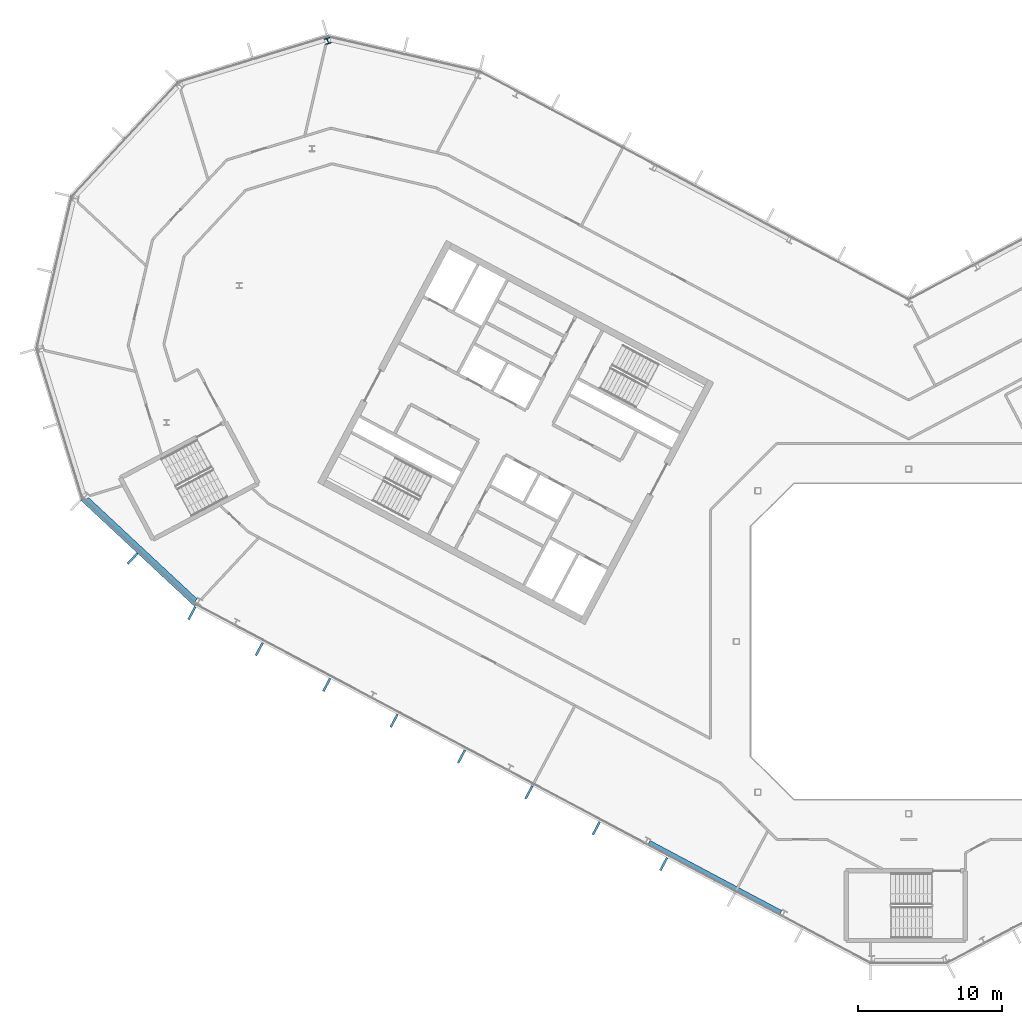
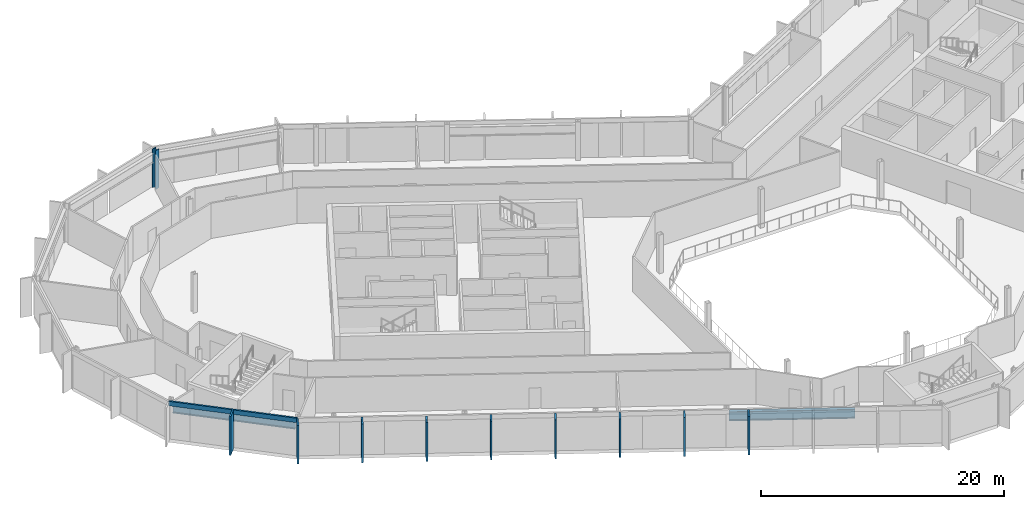
# One storey, part 8 of 26: 10 members, 2 beams, 1 column, 2 elements without a shape of their own.
"""IFC4 building model written with IfcOpenShell, lengths in metres."""

from ifc_helpers import new_model, si_unit, direction, frame, origin, origin_2d, place, context, subcontext, project, spatial, rectangle, i_section, extrude, material, layer, layer_set, material_profile, profile_set, type_object, element, aggregate, save


model = new_model("IFC4")

# Units and contexts
model_context = context("Model", 3, precision=1e-05, world=origin(), true_north=direction((0.0, 1.0)))
body_context = subcontext(model_context, "Body", "Model", "MODEL_VIEW")
ifc_project = project(units=[si_unit("LENGTHUNIT", "METRE"), si_unit("AREAUNIT", "SQUARE_METRE"), si_unit("VOLUMEUNIT", "CUBIC_METRE"), si_unit("PLANEANGLEUNIT", "RADIAN"), si_unit("MASSUNIT", "GRAM", prefix="KILO")], contexts=[model_context])

# Site, building, storey
site_placement = place(None, origin())
site = spatial("IfcSite", under=ifc_project, at=site_placement, CompositionType="ELEMENT")
building_placement = place(site_placement, origin())
building = spatial("IfcBuilding", under=site, at=building_placement, Name="Cormorant Relay Tower", CompositionType="ELEMENT")
storey_placement = place(building_placement, frame((0.0, 0.0, 293.10009765625)))
storey = spatial("IfcBuildingStorey", under=building, at=storey_placement, Name="L66", CompositionType="ELEMENT", Elevation=293.10009765625)

# Column
ifc_material_1 = material(Name="Steel ASTM A992 (Fy 345 MPa)", Category="steel")
ifc_material_profile_1 = material_profile(ifc_material_1, i_section(OverallWidth=0.40380859375, OverallDepth=0.406494140625, WebThickness=0.027099609375, FlangeThickness=0.043701171875, FilletRadius=0.01513671875, at=origin_2d()), Name="W360x347")
ifc_profile_set_1 = profile_set([ifc_material_profile_1], Name="Steel ASTM A992 (Fy 345 MPa)")
column_type = type_object("IfcColumnType", Name="Column W360x347", PredefinedType="COLUMN", material=ifc_profile_set_1)
column_placement = place(storey_placement, frame((-40.455078125, 41.823974609375, 0.0), z_axis=(0.0, 0.0, 1.0), x_axis=(-0.956304755963, -0.292371704723, 0.0)))
element("IfcColumn", 1, at=column_placement, inside=storey, type_object=column_type, Name="Column L66-043", PredefinedType="COLUMN", context=body_context, shape_type="SweptSolid", body=[
    extrude(i_section(OverallWidth=0.40380859375, OverallDepth=0.406494140625, WebThickness=0.027099609375, FlangeThickness=0.043701171875, FilletRadius=0.01513671875, at=origin_2d()), origin(), (0.0, 0.0, 1.0), 3.89990234375),
])

# Curtain wall, member
ifc_material_2 = material(Name="Aluminium 6063-T6 anodised bronze", Category="aluminium")
ifc_layer = layer(ifc_material_2, 0.199951171875)
ifc_layer_set = layer_set([ifc_layer], Name="CW1 unitised bronze curtain wall with vertical fins")
curtain_wall_type = type_object("IfcCurtainWallType", Name="CW1 unitised bronze curtain wall with vertical fins", PredefinedType="NOTDEFINED", material=ifc_layer_set)
curtain_wall_1_placement = place(storey_placement, origin())
curtain_wall_1 = element("IfcCurtainWall", 2, at=curtain_wall_1_placement, inside=storey, type_object=curtain_wall_type, Name="CW1 curtain wall 15", PredefinedType="NOTDEFINED")
ifc_material_3 = material(Name="Aluminium 6063-T6 anodised bronze", Category="aluminium")
ifc_material_profile_2 = material_profile(ifc_material_3, rectangle(XDim=0.14990234375, YDim=1.0, at=origin_2d()), Name="AL 150x1000")
ifc_profile_set_2 = profile_set([ifc_material_profile_2], Name="Aluminium 6063-T6 anodised bronze")
member_type_1 = type_object("IfcMemberType", Name="CW1 bronze fin mullion 150 x 1000", PredefinedType="MULLION", material=ifc_profile_set_2)
member_1_placement = place(storey_placement, frame((-54.0439453125, 5.779296875, 0.0), z_axis=(0.0, 0.0, 1.0), x_axis=(0.731353701619, -0.681998360062, 0.0)))
member_1 = element("IfcMember", 3, at=member_1_placement, type_object=member_type_1, Name="CW1 fin 15.2", PredefinedType="MULLION", context=body_context, shape_type="SweptSolid", body=[
    extrude(rectangle(XDim=0.14990234375, YDim=1.0, at=origin_2d()), origin(), (0.0, 0.0, 1.0), 3.89990234375),
])

# Curtain wall, members
curtain_wall_2_placement = place(storey_placement, origin())
curtain_wall_2 = element("IfcCurtainWall", 4, at=curtain_wall_2_placement, inside=storey, type_object=curtain_wall_type, Name="CW1 curtain wall 16", PredefinedType="NOTDEFINED")
member_2_placement = place(storey_placement, frame((-49.920166015625, 1.96630859375, 0.0), z_axis=(0.0, 0.0, 1.0), x_axis=(0.882947592859, -0.469471562786, 0.0)))
member_2 = element("IfcMember", 5, at=member_2_placement, type_object=member_type_1, Name="CW1 fin 16.1", PredefinedType="MULLION", context=body_context, shape_type="SweptSolid", body=[
    extrude(rectangle(XDim=0.14990234375, YDim=1.0, at=origin_2d()), origin(), (0.0, 0.0, 1.0), 3.89990234375),
])
member_3_placement = place(storey_placement, frame((-45.225830078125, -0.52978515625, 0.0), z_axis=(0.0, 0.0, 1.0), x_axis=(0.882947592859, -0.469471562786, 0.0)))
member_3 = element("IfcMember", 6, at=member_3_placement, type_object=member_type_1, Name="CW1 fin 16.2", PredefinedType="MULLION", context=body_context, shape_type="SweptSolid", body=[
    extrude(rectangle(XDim=0.14990234375, YDim=1.0, at=origin_2d()), origin(), (0.0, 0.0, 1.0), 3.89990234375),
])
member_4_placement = place(storey_placement, frame((-40.531494140625, -3.025634765625, 0.0), z_axis=(0.0, 0.0, 1.0), x_axis=(0.882947592859, -0.469471562786, 0.0)))
member_4 = element("IfcMember", 7, at=member_4_placement, type_object=member_type_1, Name="CW1 fin 16.3", PredefinedType="MULLION", context=body_context, shape_type="SweptSolid", body=[
    extrude(rectangle(XDim=0.14990234375, YDim=1.0, at=origin_2d()), origin(), (0.0, 0.0, 1.0), 3.89990234375),
])
member_5_placement = place(storey_placement, frame((-35.83740234375, -5.521728515625, 0.0), z_axis=(0.0, 0.0, 1.0), x_axis=(0.882947592859, -0.469471562786, 0.0)))
member_5 = element("IfcMember", 8, at=member_5_placement, type_object=member_type_1, Name="CW1 fin 16.4", PredefinedType="MULLION", context=body_context, shape_type="SweptSolid", body=[
    extrude(rectangle(XDim=0.14990234375, YDim=1.0, at=origin_2d()), origin(), (0.0, 0.0, 1.0), 3.89990234375),
])
member_6_placement = place(storey_placement, frame((-31.14306640625, -8.017578125, 0.0), z_axis=(0.0, 0.0, 1.0), x_axis=(0.882947592859, -0.469471562786, 0.0)))
member_6 = element("IfcMember", 9, at=member_6_placement, type_object=member_type_1, Name="CW1 fin 16.5", PredefinedType="MULLION", context=body_context, shape_type="SweptSolid", body=[
    extrude(rectangle(XDim=0.14990234375, YDim=1.0, at=origin_2d()), origin(), (0.0, 0.0, 1.0), 3.89990234375),
])
member_7_placement = place(storey_placement, frame((-26.44873046875, -10.513671875, 0.0), z_axis=(0.0, 0.0, 1.0), x_axis=(0.882947592859, -0.469471562786, 0.0)))
member_7 = element("IfcMember", 10, at=member_7_placement, type_object=member_type_1, Name="CW1 fin 16.6", PredefinedType="MULLION", context=body_context, shape_type="SweptSolid", body=[
    extrude(rectangle(XDim=0.14990234375, YDim=1.0, at=origin_2d()), origin(), (0.0, 0.0, 1.0), 3.89990234375),
])
member_8_placement = place(storey_placement, frame((-21.754638671875, -13.009765625, 0.0), z_axis=(0.0, 0.0, 1.0), x_axis=(0.882947592859, -0.469471562786, 0.0)))
member_8 = element("IfcMember", 11, at=member_8_placement, type_object=member_type_1, Name="CW1 fin 16.7", PredefinedType="MULLION", context=body_context, shape_type="SweptSolid", body=[
    extrude(rectangle(XDim=0.14990234375, YDim=1.0, at=origin_2d()), origin(), (0.0, 0.0, 1.0), 3.89990234375),
])
member_9_placement = place(storey_placement, frame((-17.060302734375, -15.505615234375, 0.0), z_axis=(0.0, 0.0, 1.0), x_axis=(0.882947592859, -0.469471562786, 0.0)))
member_9 = element("IfcMember", 12, at=member_9_placement, type_object=member_type_1, Name="CW1 fin 16.8", PredefinedType="MULLION", context=body_context, shape_type="SweptSolid", body=[
    extrude(rectangle(XDim=0.14990234375, YDim=1.0, at=origin_2d()), origin(), (0.0, 0.0, 1.0), 3.89990234375),
])
aggregate(curtain_wall_2, [member_2, member_3, member_4, member_5, member_6, member_7, member_8, member_9])

# Member
ifc_material_4 = material(Name="Aluminium 6063-T6 anodised bronze", Category="aluminium")
ifc_material_profile_3 = material_profile(ifc_material_4, rectangle(XDim=0.159912109375, YDim=0.449951171875, at=origin_2d()), Name="AL 160x450")
ifc_profile_set_3 = profile_set([ifc_material_profile_3], Name="Aluminium 6063-T6 anodised bronze")
member_type_2 = type_object("IfcMemberType", Name="CW1 bronze transom 160 x 450", PredefinedType="USERDEFINED", material=ifc_profile_set_3)
member_10_placement = place(storey_placement, frame((-57.62353515625, 9.91015625, 3.6748046875), z_axis=(0.731358420696, -0.681993299437, 0.0), x_axis=(0.681993299437, 0.731358420696, 0.0)))
member_10 = element("IfcMember", 13, at=member_10_placement, type_object=member_type_2, Name="CW1 transom 15", ObjectType="TRANSOM", PredefinedType="USERDEFINED", context=body_context, shape_type="SweptSolid", body=[
    extrude(rectangle(XDim=0.159912109375, YDim=0.449951171875, at=origin_2d()), origin(), (0.0, 0.0, 1.0), 10.870361328125),
])

aggregate(curtain_wall_1, [member_1, member_10])

# Beams
ifc_material_5 = material(Name="Steel ASTM A992 (Fy 345 MPa)", Category="steel")
ifc_material_profile_4 = material_profile(ifc_material_5, i_section(OverallWidth=0.307373046875, OverallDepth=0.927001953125, WebThickness=0.019287109375, FlangeThickness=0.031982421875, FilletRadius=0.01904296875, at=origin_2d()), Name="W920x289")
ifc_profile_set_4 = profile_set([ifc_material_profile_4], Name="Steel ASTM A992 (Fy 345 MPa)")
beam_type = type_object("IfcBeamType", Name="Spandrel W920x289", PredefinedType="SPANDREL", material=ifc_profile_set_4)
beam_1_placement = place(storey_placement, frame((-57.234619140625, 9.921630859375, 3.076416015625), z_axis=(0.731364191518, -0.681987110849, 0.0), x_axis=(0.681987110849, 0.731364191518, 0.0)))
element("IfcBeam", 14, at=beam_1_placement, inside=storey, type_object=beam_type, Name="Spandrel beam L66-015", PredefinedType="SPANDREL", context=body_context, shape_type="SweptSolid", body=[
    extrude(i_section(OverallWidth=0.307373046875, OverallDepth=0.927001953125, WebThickness=0.019287109375, FlangeThickness=0.031982421875, FilletRadius=0.01904296875, at=origin_2d()), origin(), (0.0, 0.0, 1.0), 10.37841796875),
])
beam_2_placement = place(storey_placement, frame((-18.0869140625, -13.992919921875, 3.076416015625), z_axis=(0.882946088703, -0.469474391681, 0.0), x_axis=(0.469474391681, 0.882946088703, 0.0)))
element("IfcBeam", 15, at=beam_2_placement, inside=storey, type_object=beam_type, Name="Spandrel beam L66-016", PredefinedType="SPANDREL", context=body_context, shape_type="SweptSolid", body=[
    extrude(i_section(OverallWidth=0.307373046875, OverallDepth=0.927001953125, WebThickness=0.019287109375, FlangeThickness=0.031982421875, FilletRadius=0.01904296875, at=origin_2d()), origin(), (0.0, 0.0, 1.0), 10.401611328125),
])

save(model, "model.ifc")
